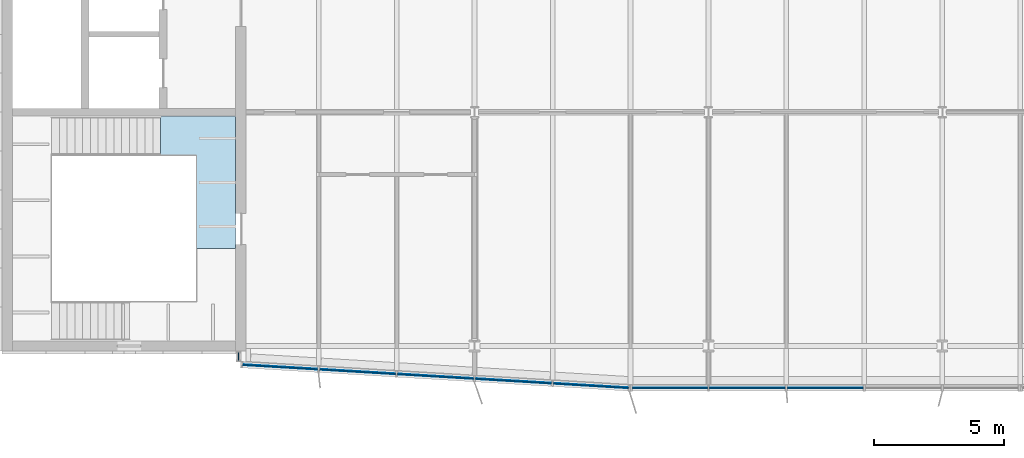
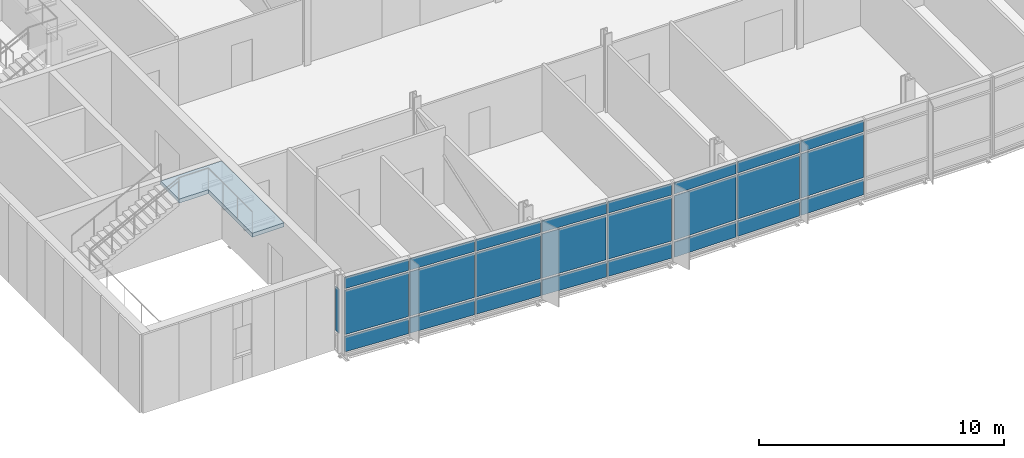
# One storey, part 10 of 21: 25 plates, 1 slab, 4 elements without a shape of their own.
"""IFC4 building model written with IfcOpenShell, lengths in metres."""

import ifcopenshell
import ifcopenshell.guid

model = None  # the IFC model being written
_history = None  # IfcOwnerHistory: only IFC2X3 demands one
_inside = {}  # id of a spatial element -> (the spatial element, [elements in it])
_under = {}  # id of a project, library or spatial element -> (it, [spatial elements below it])
_declared = {}  # id of a project -> (the project, [libraries it declares])
_typed = {}  # id of a type object -> (the type object, [elements of that type])
_made_of = {}  # id of a material, layer set ... -> (it, [elements and type objects made of it])


def new_model(schema):
    """Start an empty IFC model of exactly this schema.

    Asked for "IFC4X3", IfcOpenShell would pick the latest addendum, in which some entities
    have other attributes; the version numbers below select the first issue.
    IFC2X3 requires an IfcOwnerHistory on every rooted entity: one is made here for all.
    """
    global model, _history
    if schema == "IFC4X3":
        model = ifcopenshell.file(schema_version=(4, 3, 0, 0))
    else:
        model = ifcopenshell.file(schema=schema)
    _inside.clear()
    _under.clear()
    _declared.clear()
    _typed.clear()
    _made_of.clear()
    _history = None
    if model.schema == "IFC2X3":
        org = make("IfcOrganization", Name="unknown")
        user = make(
            "IfcPersonAndOrganization",
            ThePerson=make("IfcPerson", FamilyName="unknown"),
            TheOrganization=org,
        )
        app = make(
            "IfcApplication",
            ApplicationDeveloper=org,
            Version="unknown",
            ApplicationFullName="unknown",
            ApplicationIdentifier="unknown",
        )
        _history = make(
            "IfcOwnerHistory",
            OwningUser=user,
            OwningApplication=app,
            ChangeAction="ADDED",
            CreationDate=0,
        )
    return model


def make(cls, **values):
    """One entity of the class cls with the attributes given. An attribute that is None is left unset."""
    return model.create_entity(
        cls, **{name: value for name, value in values.items() if value is not None}
    )


def rooted(cls, **values):
    """An entity with a GlobalId (a new one), such as an element, a storey or a relation."""
    return make(cls, GlobalId=ifcopenshell.guid.new(), OwnerHistory=_history, **values)


def si_unit(unit_type, name, prefix=None):
    """IfcSIUnit, for example si_unit("LENGTHUNIT", "METRE", prefix="MILLI")."""
    return make("IfcSIUnit", UnitType=unit_type, Prefix=prefix, Name=name)


def assignment(units):
    """IfcUnitAssignment: the units of a project."""
    return None if units is None else make("IfcUnitAssignment", Units=units)


def point(xyz):
    """IfcCartesianPoint."""
    return None if xyz is None else make("IfcCartesianPoint", Coordinates=xyz)


def direction(xyz):
    """IfcDirection."""
    return None if xyz is None else make("IfcDirection", DirectionRatios=xyz)


def frame(location, z_axis=None, x_axis=None):
    """IfcAxis2Placement3D, a coordinate frame: its origin and axes. An axis left out is left unset."""
    return make(
        "IfcAxis2Placement3D",
        Location=point(location),
        Axis=direction(z_axis),
        RefDirection=direction(x_axis),
    )


def frame_2d(location, x_axis=None):
    """IfcAxis2Placement2D, a coordinate frame in the plane: its origin and x axis."""
    return make(
        "IfcAxis2Placement2D", Location=point(location), RefDirection=direction(x_axis)
    )


def origin():
    """The frame at (0, 0, 0) with its axes left unset."""
    return frame((0.0, 0.0, 0.0))


def origin_2d():
    """The frame at (0, 0) in the plane with its x axis left unset."""
    return frame_2d((0.0, 0.0))


def place(relative_to, where):
    """IfcLocalPlacement: puts the frame where relative to a parent placement (None: the world)."""
    return make(
        "IfcLocalPlacement", PlacementRelTo=relative_to, RelativePlacement=where
    )


def context(
    kind, dimensions, precision=None, world=None, true_north=None, identifier=None
):
    """IfcGeometricRepresentationContext, for example the 3D "Model" context."""
    return make(
        "IfcGeometricRepresentationContext",
        ContextIdentifier=identifier,
        ContextType=kind,
        CoordinateSpaceDimension=dimensions,
        Precision=precision,
        WorldCoordinateSystem=world,
        TrueNorth=true_north,
    )


def subcontext(parent, identifier, kind, view, scale=None):
    """IfcGeometricRepresentationSubContext, for example "Body" below "Model"."""
    return make(
        "IfcGeometricRepresentationSubContext",
        ContextIdentifier=identifier,
        ContextType=kind,
        ParentContext=parent,
        TargetScale=scale,
        TargetView=view,
    )


def project(units=None, contexts=None):
    """IfcProject with its units and contexts."""
    return rooted(
        "IfcProject",
        Name="project",
        RepresentationContexts=contexts,
        UnitsInContext=assignment(units),
    )


def spatial(cls, under=None, at=None, **own):
    """A site, building, storey or space (cls), placed at a placement, below another one or the project."""
    s = rooted(cls, ObjectPlacement=at, **own)
    if under is not None:
        _under.setdefault(under.id(), (under, []))[1].append(s)
    return s


def polyline(points):
    """IfcPolyline through the points."""
    return make("IfcPolyline", Points=[point(p) for p in points])


def profile(cls, at=None, kind="AREA", **sizes):
    """A parametric profile (cls). Its sizes go by their IFC names, for example OverallWidth=200.0."""
    return make(cls, ProfileType=kind, Position=at, **sizes)


def rectangle(**sizes):
    """IfcRectangleProfileDef."""
    return profile("IfcRectangleProfileDef", **sizes)


def outline(outer, holes=None, kind="AREA"):
    """IfcArbitraryClosedProfileDef: a profile drawn as a closed curve; with holes, ...WithVoids."""
    if holes is None:
        return make("IfcArbitraryClosedProfileDef", ProfileType=kind, OuterCurve=outer)
    return make(
        "IfcArbitraryProfileDefWithVoids",
        ProfileType=kind,
        OuterCurve=outer,
        InnerCurves=holes,
    )


def extrude(swept, where, along, depth):
    """IfcExtrudedAreaSolid: the profile swept, set in the frame where, extruded along a direction by depth."""
    return make(
        "IfcExtrudedAreaSolid",
        SweptArea=swept,
        Position=where,
        ExtrudedDirection=direction(along),
        Depth=depth,
    )


def shape(context_of_items, identifier, shape_type, items):
    """IfcShapeRepresentation: the items that make up one representation, for example the "Body"."""
    return make(
        "IfcShapeRepresentation",
        ContextOfItems=context_of_items,
        RepresentationIdentifier=identifier,
        RepresentationType=shape_type,
        Items=items,
    )


def material(Name=None, Category=None):
    """IfcMaterial."""
    return make("IfcMaterial", Name=Name, Category=Category)


def layer(
    of_material, thickness, ventilated=None, Name=None, Category=None, Priority=None
):
    """IfcMaterialLayer: one layer of a wall or slab, of a material (None: an air gap)."""
    return make(
        "IfcMaterialLayer",
        Material=of_material,
        LayerThickness=thickness,
        IsVentilated=ventilated,
        Name=Name,
        Category=Category,
        Priority=Priority,
    )


def layer_set(layers, Name=None):
    """IfcMaterialLayerSet."""
    return make("IfcMaterialLayerSet", MaterialLayers=layers, LayerSetName=Name)


def made_of(thing, what):
    """Note that an element or type object is made of a material, layer set ...; save() writes the relation."""
    if what is not None:
        _made_of.setdefault(what.id(), (what, []))[1].append(thing)
    return thing


def type_object(cls, material=None, **own):
    """A type object (cls), such as IfcWallType, which elements share."""
    return made_of(rooted(cls, **own), material)


def element(
    cls,
    number,
    at=None,
    inside=None,
    cuts=None,
    type_object=None,
    material=None,
    context=None,
    identifier="Body",
    shape_type=None,
    held_by="IfcProductDefinitionShape",
    body=None,
    shapes=None,
    **own,
):
    """One element of the class cls, such as IfcWall. Its Tag is "e" and its number.

    at: its placement. inside: the storey or other place that contains it. cuts: it is an
    opening in that element (IfcRelVoidsElement). A single representation is given by context,
    identifier, shape_type and body (its items); several are given by shapes. held_by: the class
    of the entity that holds the representations. save() writes the other relations.
    """
    e = rooted(cls, Tag="e%d" % number, ObjectPlacement=at, **own)
    if body is not None:
        shapes = [shape(context, identifier, shape_type, body)]
    if shapes is not None:
        e.Representation = make(held_by, Representations=shapes)
    if inside is not None:
        _inside.setdefault(inside.id(), (inside, []))[1].append(e)
    if cuts is not None:
        rooted(
            "IfcRelVoidsElement", RelatingBuildingElement=cuts, RelatedOpeningElement=e
        )
    if type_object is not None:
        _typed.setdefault(type_object.id(), (type_object, []))[1].append(e)
    return made_of(e, material)


def aggregate(whole, parts):
    """IfcRelAggregates: a whole, such as a stair, and the parts it consists of."""
    return rooted("IfcRelAggregates", RelatingObject=whole, RelatedObjects=parts)


def save(model, path):
    """Write the relations noted so far, then the file.

    IfcRelAggregates (storeys below a building ...), IfcRelContainedInSpatialStructure (elements
    in a storey), IfcRelDefinesByType, IfcRelAssociatesMaterial and IfcRelDeclares: one each for
    every whole, place, type object, material and project.
    """
    for whole, parts in _under.values():
        aggregate(whole, parts)
    for where, things in _inside.values():
        rooted(
            "IfcRelContainedInSpatialStructure",
            RelatedElements=things,
            RelatingStructure=where,
        )
    for kind, things in _typed.values():
        rooted("IfcRelDefinesByType", RelatedObjects=things, RelatingType=kind)
    for what, things in _made_of.values():
        rooted("IfcRelAssociatesMaterial", RelatedObjects=things, RelatingMaterial=what)
    for by, libraries in _declared.values():
        rooted("IfcRelDeclares", RelatingContext=by, RelatedDefinitions=libraries)
    model.write(path)


model = new_model("IFC4")

# Units and contexts
model_context = context("Model", 3, precision=1e-05, world=origin(), true_north=direction((0.0, 1.0)))
body_context = subcontext(model_context, "Body", "Model", "MODEL_VIEW")
ifc_project = project(units=[si_unit("LENGTHUNIT", "METRE"), si_unit("AREAUNIT", "SQUARE_METRE"), si_unit("VOLUMEUNIT", "CUBIC_METRE"), si_unit("PLANEANGLEUNIT", "RADIAN"), si_unit("MASSUNIT", "GRAM", prefix="KILO")], contexts=[model_context])

# Site, building, storey
site_placement = place(None, origin())
site = spatial("IfcSite", under=ifc_project, at=site_placement, CompositionType="ELEMENT")
building_placement = place(site_placement, origin())
building = spatial("IfcBuilding", under=site, at=building_placement, Name="Azimuth Sports and Learning Centre", CompositionType="ELEMENT")
storey_placement = place(building_placement, frame((0.0, 0.0, 48.0)))
storey = spatial("IfcBuildingStorey", under=building, at=storey_placement, Name="L10", CompositionType="ELEMENT", Elevation=48.0)

# Stair, slab
ifc_material_1 = material(Name="Concrete C32/40", Category="concrete")
stair_type = type_object("IfcStairType", Name="Square-well stair core 3900 storey", PredefinedType="THREE_QUARTER_TURN_STAIR", material=ifc_material_1)
stair_placement = place(storey_placement, origin())
stair = element("IfcStair", 1, at=stair_placement, inside=storey, type_object=stair_type, Name="Stair W1 L10-L11", PredefinedType="THREE_QUARTER_TURN_STAIR")
ifc_material_2 = material(Name="Concrete C32/40", Category="concrete")
ifc_layer_1 = layer(ifc_material_2, 0.199951171875)
ifc_layer_set_1 = layer_set([ifc_layer_1], Name="Concrete C32/40")
slab_type = type_object("IfcSlabType", Name="Concrete stair landing", PredefinedType="LANDING", material=ifc_layer_set_1)
slab_placement = place(storey_placement, frame((0.0, 0.0, 3.699951171875)))
slab = element("IfcSlab", 2, at=slab_placement, type_object=slab_type, Name="Stair W1 L10 landing 3", PredefinedType="LANDING", context=body_context, shape_type="SweptSolid", body=[
    extrude(outline(polyline([(61.2900390625, 97.340087890625), (61.2900390625, 93.75), (62.7900390625, 93.75), (62.7900390625, 98.840087890625), (59.9091796875, 98.840087890625), (59.9091796875, 97.340087890625), (61.2900390625, 97.340087890625)])), origin(), (0.0, 0.0, 1.0), 0.199951171875),
])
aggregate(stair, [slab])

# Curtain wall, plates
ifc_material_3 = material(Name="Aluminium and glass", Category="aluminium")
curtain_wall_type_1 = type_object("IfcCurtainWallType", Name="Curtain wall tower south 240", PredefinedType="NOTDEFINED", material=ifc_material_3)
curtain_wall_1_placement = place(storey_placement, origin())
curtain_wall_1 = element("IfcCurtainWall", 3, at=curtain_wall_1_placement, inside=storey, type_object=curtain_wall_type_1, Name="Curtain wall CW10-002", PredefinedType="NOTDEFINED")
ifc_material_4 = material(Name="Insulated aluminium panel", Category="aluminium")
ifc_layer_2 = layer(ifc_material_4, 0.050048828125)
ifc_layer_set_2 = layer_set([ifc_layer_2], Name="Insulated aluminium panel")
plate_type_1 = type_object("IfcPlateType", Name="Spandrel panel 50 mm", PredefinedType="CURTAIN_PANEL", material=ifc_layer_set_2)
plate_1_placement = place(storey_placement, frame((64.51025390625, 89.189208984375, 0.10009765625), z_axis=(0.0, 0.0, 1.0), x_axis=(0.998204863401, -0.059891991812, 0.0)))
plate_1 = element("IfcPlate", 4, at=plate_1_placement, type_object=plate_type_1, Name="CW10-002 panel 1.1", PredefinedType="CURTAIN_PANEL", context=body_context, shape_type="SweptSolid", body=[
    extrude(rectangle(XDim=2.900390625, YDim=0.050048828125, at=origin_2d()), origin(), (0.0, 0.0, 1.0), 0.75),
])
plate_2_placement = place(storey_placement, frame((64.51025390625, 89.189208984375, 3.25), z_axis=(0.0, 0.0, 1.0), x_axis=(0.998204863401, -0.059891991812, 0.0)))
plate_2 = element("IfcPlate", 5, at=plate_2_placement, type_object=plate_type_1, Name="CW10-002 panel 1.3", PredefinedType="CURTAIN_PANEL", context=body_context, shape_type="SweptSolid", body=[
    extrude(rectangle(XDim=2.900390625, YDim=0.050048828125, at=origin_2d()), origin(), (0.0, 0.0, 1.0), 0.550048828125),
])
plate_3_placement = place(storey_placement, frame((67.492919921875, 89.01025390625, 0.10009765625), z_axis=(0.0, 0.0, 1.0), x_axis=(0.998204863401, -0.059891991812, 0.0)))
plate_3 = element("IfcPlate", 6, at=plate_3_placement, type_object=plate_type_1, Name="CW10-002 panel 2.1", PredefinedType="CURTAIN_PANEL", context=body_context, shape_type="SweptSolid", body=[
    extrude(rectangle(XDim=2.935302734375, YDim=0.050048828125, at=origin_2d()), origin(), (0.0, 0.0, 1.0), 0.75),
])
plate_4_placement = place(storey_placement, frame((67.492919921875, 89.01025390625, 3.25), z_axis=(0.0, 0.0, 1.0), x_axis=(0.998204863401, -0.059891991812, 0.0)))
plate_4 = element("IfcPlate", 7, at=plate_4_placement, type_object=plate_type_1, Name="CW10-002 panel 2.3", PredefinedType="CURTAIN_PANEL", context=body_context, shape_type="SweptSolid", body=[
    extrude(rectangle(XDim=2.935302734375, YDim=0.050048828125, at=origin_2d()), origin(), (0.0, 0.0, 1.0), 0.550048828125),
])
plate_5_placement = place(storey_placement, frame((70.492919921875, 88.830322265625, 0.10009765625), z_axis=(0.0, 0.0, 1.0), x_axis=(0.998204863401, -0.059891991812, 0.0)))
plate_5 = element("IfcPlate", 8, at=plate_5_placement, type_object=plate_type_1, Name="CW10-002 panel 3.1", PredefinedType="CURTAIN_PANEL", context=body_context, shape_type="SweptSolid", body=[
    extrude(rectangle(XDim=2.935302734375, YDim=0.050048828125, at=origin_2d()), origin(), (0.0, 0.0, 1.0), 0.75),
])
plate_6_placement = place(storey_placement, frame((70.492919921875, 88.830322265625, 3.25), z_axis=(0.0, 0.0, 1.0), x_axis=(0.998204863401, -0.059891991812, 0.0)))
plate_6 = element("IfcPlate", 9, at=plate_6_placement, type_object=plate_type_1, Name="CW10-002 panel 3.3", PredefinedType="CURTAIN_PANEL", context=body_context, shape_type="SweptSolid", body=[
    extrude(rectangle(XDim=2.935302734375, YDim=0.050048828125, at=origin_2d()), origin(), (0.0, 0.0, 1.0), 0.550048828125),
])
plate_7_placement = place(storey_placement, frame((73.492919921875, 88.650146484375, 0.10009765625), z_axis=(0.0, 0.0, 1.0), x_axis=(0.998204863401, -0.059891991812, 0.0)))
plate_7 = element("IfcPlate", 10, at=plate_7_placement, type_object=plate_type_1, Name="CW10-002 panel 4.1", PredefinedType="CURTAIN_PANEL", context=body_context, shape_type="SweptSolid", body=[
    extrude(rectangle(XDim=2.935302734375, YDim=0.050048828125, at=origin_2d()), origin(), (0.0, 0.0, 1.0), 0.75),
])
plate_8_placement = place(storey_placement, frame((73.492919921875, 88.650146484375, 3.25), z_axis=(0.0, 0.0, 1.0), x_axis=(0.998204863401, -0.059891991812, 0.0)))
plate_8 = element("IfcPlate", 11, at=plate_8_placement, type_object=plate_type_1, Name="CW10-002 panel 4.3", PredefinedType="CURTAIN_PANEL", context=body_context, shape_type="SweptSolid", body=[
    extrude(rectangle(XDim=2.935302734375, YDim=0.050048828125, at=origin_2d()), origin(), (0.0, 0.0, 1.0), 0.550048828125),
])
plate_9_placement = place(storey_placement, frame((76.475341796875, 88.47119140625, 0.10009765625), z_axis=(0.0, 0.0, 1.0), x_axis=(0.998204863401, -0.059891991812, 0.0)))
plate_9 = element("IfcPlate", 12, at=plate_9_placement, type_object=plate_type_1, Name="CW10-002 panel 5.1", PredefinedType="CURTAIN_PANEL", context=body_context, shape_type="SweptSolid", body=[
    extrude(rectangle(XDim=2.900390625, YDim=0.050048828125, at=origin_2d()), origin(), (0.0, 0.0, 1.0), 0.75),
])
plate_10_placement = place(storey_placement, frame((76.475341796875, 88.47119140625, 3.25), z_axis=(0.0, 0.0, 1.0), x_axis=(0.998204863401, -0.059891991812, 0.0)))
plate_10 = element("IfcPlate", 13, at=plate_10_placement, type_object=plate_type_1, Name="CW10-002 panel 5.3", PredefinedType="CURTAIN_PANEL", context=body_context, shape_type="SweptSolid", body=[
    extrude(rectangle(XDim=2.900390625, YDim=0.050048828125, at=origin_2d()), origin(), (0.0, 0.0, 1.0), 0.550048828125),
])

curtain_wall_2_placement = place(storey_placement, origin())
curtain_wall_2 = element("IfcCurtainWall", 14, at=curtain_wall_2_placement, inside=storey, type_object=curtain_wall_type_1, Name="Curtain wall CW10-003", PredefinedType="NOTDEFINED")
plate_11_placement = place(storey_placement, frame((79.513916015625, 88.3798828125, 0.10009765625), z_axis=(0.0, 0.0, 1.0), x_axis=(1.0, 0.0, 0.0)))
plate_11 = element("IfcPlate", 15, at=plate_11_placement, type_object=plate_type_1, Name="CW10-003 panel 1.1", PredefinedType="CURTAIN_PANEL", context=body_context, shape_type="SweptSolid", body=[
    extrude(rectangle(XDim=2.902099609375, YDim=0.050048828125, at=origin_2d()), origin(), (0.0, 0.0, 1.0), 0.75),
])
plate_12_placement = place(storey_placement, frame((79.513916015625, 88.3798828125, 3.25), z_axis=(0.0, 0.0, 1.0), x_axis=(1.0, 0.0, 0.0)))
plate_12 = element("IfcPlate", 16, at=plate_12_placement, type_object=plate_type_1, Name="CW10-003 panel 1.3", PredefinedType="CURTAIN_PANEL", context=body_context, shape_type="SweptSolid", body=[
    extrude(rectangle(XDim=2.902099609375, YDim=0.050048828125, at=origin_2d()), origin(), (0.0, 0.0, 1.0), 0.550048828125),
])
plate_13_placement = place(storey_placement, frame((82.5, 88.3798828125, 0.10009765625), z_axis=(0.0, 0.0, 1.0), x_axis=(1.0, 0.0, 0.0)))
plate_13 = element("IfcPlate", 17, at=plate_13_placement, type_object=plate_type_1, Name="CW10-003 panel 2.1", PredefinedType="CURTAIN_PANEL", context=body_context, shape_type="SweptSolid", body=[
    extrude(rectangle(XDim=2.929931640625, YDim=0.050048828125, at=origin_2d()), origin(), (0.0, 0.0, 1.0), 0.75),
])
plate_14_placement = place(storey_placement, frame((82.5, 88.3798828125, 3.25), z_axis=(0.0, 0.0, 1.0), x_axis=(1.0, 0.0, 0.0)))
plate_14 = element("IfcPlate", 18, at=plate_14_placement, type_object=plate_type_1, Name="CW10-003 panel 2.3", PredefinedType="CURTAIN_PANEL", context=body_context, shape_type="SweptSolid", body=[
    extrude(rectangle(XDim=2.929931640625, YDim=0.050048828125, at=origin_2d()), origin(), (0.0, 0.0, 1.0), 0.550048828125),
])
plate_15_placement = place(storey_placement, frame((85.5, 88.3798828125, 0.10009765625), z_axis=(0.0, 0.0, 1.0), x_axis=(1.0, 0.0, 0.0)))
plate_15 = element("IfcPlate", 19, at=plate_15_placement, type_object=plate_type_1, Name="CW10-003 panel 3.1", PredefinedType="CURTAIN_PANEL", context=body_context, shape_type="SweptSolid", body=[
    extrude(rectangle(XDim=2.929931640625, YDim=0.050048828125, at=origin_2d()), origin(), (0.0, 0.0, 1.0), 0.75),
])
plate_16_placement = place(storey_placement, frame((85.5, 88.3798828125, 3.25), z_axis=(0.0, 0.0, 1.0), x_axis=(1.0, 0.0, 0.0)))
plate_16 = element("IfcPlate", 20, at=plate_16_placement, type_object=plate_type_1, Name="CW10-003 panel 3.3", PredefinedType="CURTAIN_PANEL", context=body_context, shape_type="SweptSolid", body=[
    extrude(rectangle(XDim=2.929931640625, YDim=0.050048828125, at=origin_2d()), origin(), (0.0, 0.0, 1.0), 0.550048828125),
])

# Curtain wall, plate
ifc_material_5 = material(Name="Aluminium and glass", Category="aluminium")
curtain_wall_type_2 = type_object("IfcCurtainWallType", Name="Curtain wall tower return 180", PredefinedType="NOTDEFINED", material=ifc_material_5)
curtain_wall_3_placement = place(storey_placement, origin())
curtain_wall_3 = element("IfcCurtainWall", 21, at=curtain_wall_3_placement, inside=storey, type_object=curtain_wall_type_2, Name="Curtain wall CW10-001", PredefinedType="NOTDEFINED")
ifc_material_6 = material(Name="Glass", Category="glass")
ifc_layer_3 = layer(ifc_material_6, 0.031982421875)
ifc_layer_set_3 = layer_set([ifc_layer_3], Name="Glass")
plate_type_2 = type_object("IfcPlateType", Name="Vision glass 32 mm", PredefinedType="CURTAIN_PANEL", material=ifc_layer_set_3)
plate_17_placement = place(storey_placement, frame((62.909912109375, 89.60009765625, 0.9501953125), z_axis=(0.0, 0.0, 1.0), x_axis=(0.0, -1.0, 0.0)))
plate_17 = element("IfcPlate", 22, at=plate_17_placement, type_object=plate_type_2, Name="CW10-001 panel 1.2", PredefinedType="CURTAIN_PANEL", context=body_context, shape_type="SweptSolid", body=[
    extrude(rectangle(XDim=0.280029296875, YDim=0.031982421875, at=origin_2d()), origin(), (0.0, 0.0, 1.0), 2.199951171875),
])
aggregate(curtain_wall_3, [plate_17])

# Plate
plate_18_placement = place(storey_placement, frame((64.51025390625, 89.189208984375, 0.9501953125), z_axis=(0.0, 0.0, 1.0), x_axis=(0.998204863401, -0.059891991812, 0.0)))
plate_18 = element("IfcPlate", 23, at=plate_18_placement, type_object=plate_type_2, Name="CW10-002 panel 1.2", PredefinedType="CURTAIN_PANEL", context=body_context, shape_type="SweptSolid", body=[
    extrude(rectangle(XDim=2.900390625, YDim=0.031982421875, at=origin_2d()), origin(), (0.0, 0.0, 1.0), 2.199951171875),
])

plate_19_placement = place(storey_placement, frame((67.492919921875, 89.01025390625, 0.9501953125), z_axis=(0.0, 0.0, 1.0), x_axis=(0.998204863401, -0.059891991812, 0.0)))
plate_19 = element("IfcPlate", 24, at=plate_19_placement, type_object=plate_type_2, Name="CW10-002 panel 2.2", PredefinedType="CURTAIN_PANEL", context=body_context, shape_type="SweptSolid", body=[
    extrude(rectangle(XDim=2.935302734375, YDim=0.031982421875, at=origin_2d()), origin(), (0.0, 0.0, 1.0), 2.199951171875),
])

plate_20_placement = place(storey_placement, frame((70.492919921875, 88.830322265625, 0.9501953125), z_axis=(0.0, 0.0, 1.0), x_axis=(0.998204863401, -0.059891991812, 0.0)))
plate_20 = element("IfcPlate", 25, at=plate_20_placement, type_object=plate_type_2, Name="CW10-002 panel 3.2", PredefinedType="CURTAIN_PANEL", context=body_context, shape_type="SweptSolid", body=[
    extrude(rectangle(XDim=2.935302734375, YDim=0.031982421875, at=origin_2d()), origin(), (0.0, 0.0, 1.0), 2.199951171875),
])

plate_21_placement = place(storey_placement, frame((73.492919921875, 88.650146484375, 0.9501953125), z_axis=(0.0, 0.0, 1.0), x_axis=(0.998204863401, -0.059891991812, 0.0)))
plate_21 = element("IfcPlate", 26, at=plate_21_placement, type_object=plate_type_2, Name="CW10-002 panel 4.2", PredefinedType="CURTAIN_PANEL", context=body_context, shape_type="SweptSolid", body=[
    extrude(rectangle(XDim=2.935302734375, YDim=0.031982421875, at=origin_2d()), origin(), (0.0, 0.0, 1.0), 2.199951171875),
])

plate_22_placement = place(storey_placement, frame((76.475341796875, 88.47119140625, 0.9501953125), z_axis=(0.0, 0.0, 1.0), x_axis=(0.998204863401, -0.059891991812, 0.0)))
plate_22 = element("IfcPlate", 27, at=plate_22_placement, type_object=plate_type_2, Name="CW10-002 panel 5.2", PredefinedType="CURTAIN_PANEL", context=body_context, shape_type="SweptSolid", body=[
    extrude(rectangle(XDim=2.900390625, YDim=0.031982421875, at=origin_2d()), origin(), (0.0, 0.0, 1.0), 2.199951171875),
])

aggregate(curtain_wall_1, [plate_1, plate_18, plate_2, plate_3, plate_19, plate_4, plate_5, plate_20, plate_6, plate_7, plate_21, plate_8, plate_9, plate_22, plate_10])

plate_23_placement = place(storey_placement, frame((79.513916015625, 88.3798828125, 0.9501953125), z_axis=(0.0, 0.0, 1.0), x_axis=(1.0, 0.0, 0.0)))
plate_23 = element("IfcPlate", 28, at=plate_23_placement, type_object=plate_type_2, Name="CW10-003 panel 1.2", PredefinedType="CURTAIN_PANEL", context=body_context, shape_type="SweptSolid", body=[
    extrude(rectangle(XDim=2.902099609375, YDim=0.031982421875, at=origin_2d()), origin(), (0.0, 0.0, 1.0), 2.199951171875),
])

plate_24_placement = place(storey_placement, frame((82.5, 88.3798828125, 0.9501953125), z_axis=(0.0, 0.0, 1.0), x_axis=(1.0, 0.0, 0.0)))
plate_24 = element("IfcPlate", 29, at=plate_24_placement, type_object=plate_type_2, Name="CW10-003 panel 2.2", PredefinedType="CURTAIN_PANEL", context=body_context, shape_type="SweptSolid", body=[
    extrude(rectangle(XDim=2.929931640625, YDim=0.031982421875, at=origin_2d()), origin(), (0.0, 0.0, 1.0), 2.199951171875),
])

plate_25_placement = place(storey_placement, frame((85.5, 88.3798828125, 0.9501953125), z_axis=(0.0, 0.0, 1.0), x_axis=(1.0, 0.0, 0.0)))
plate_25 = element("IfcPlate", 30, at=plate_25_placement, type_object=plate_type_2, Name="CW10-003 panel 3.2", PredefinedType="CURTAIN_PANEL", context=body_context, shape_type="SweptSolid", body=[
    extrude(rectangle(XDim=2.929931640625, YDim=0.031982421875, at=origin_2d()), origin(), (0.0, 0.0, 1.0), 2.199951171875),
])

aggregate(curtain_wall_2, [plate_11, plate_23, plate_12, plate_13, plate_24, plate_14, plate_15, plate_25, plate_16])

save(model, "model.ifc")
